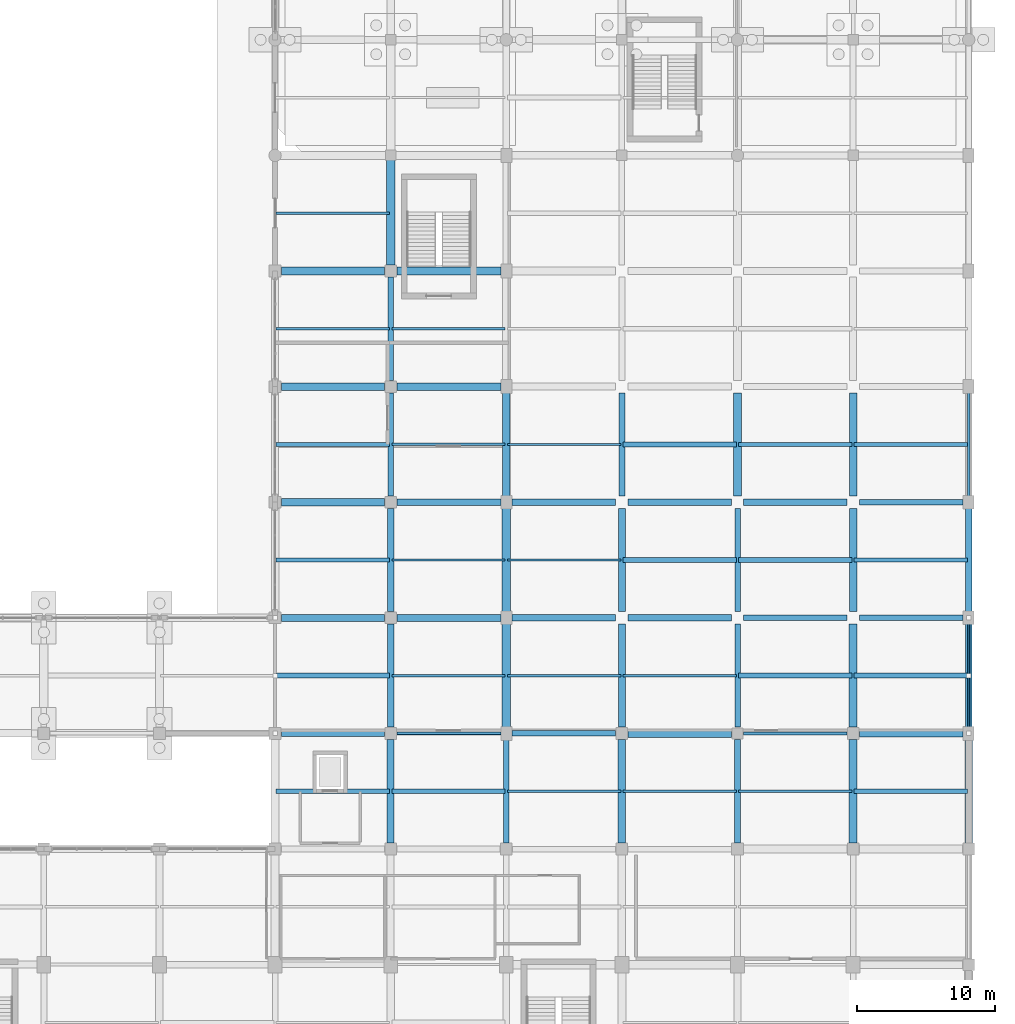
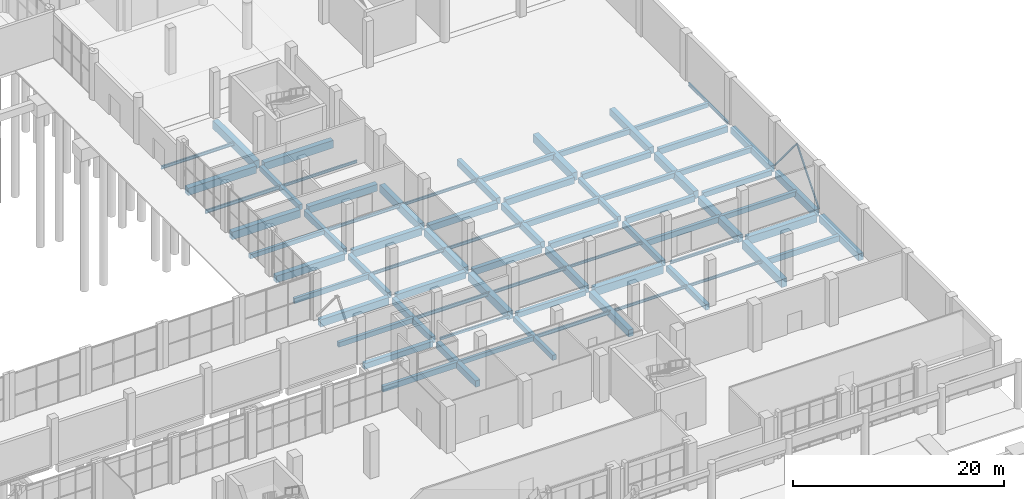
# One storey, part 51 of 82: 75 beams, 2 members.
"""IFC4 building model written with IfcOpenShell, lengths in metres."""

import ifcopenshell
import ifcopenshell.guid

model = None  # the IFC model being written
_history = None  # IfcOwnerHistory: only IFC2X3 demands one
_inside = {}  # id of a spatial element -> (the spatial element, [elements in it])
_under = {}  # id of a project, library or spatial element -> (it, [spatial elements below it])
_declared = {}  # id of a project -> (the project, [libraries it declares])
_typed = {}  # id of a type object -> (the type object, [elements of that type])
_made_of = {}  # id of a material, layer set ... -> (it, [elements and type objects made of it])


def new_model(schema):
    """Start an empty IFC model of exactly this schema.

    Asked for "IFC4X3", IfcOpenShell would pick the latest addendum, in which some entities
    have other attributes; the version numbers below select the first issue.
    IFC2X3 requires an IfcOwnerHistory on every rooted entity: one is made here for all.
    """
    global model, _history
    if schema == "IFC4X3":
        model = ifcopenshell.file(schema_version=(4, 3, 0, 0))
    else:
        model = ifcopenshell.file(schema=schema)
    _inside.clear()
    _under.clear()
    _declared.clear()
    _typed.clear()
    _made_of.clear()
    _history = None
    if model.schema == "IFC2X3":
        org = make("IfcOrganization", Name="unknown")
        user = make(
            "IfcPersonAndOrganization",
            ThePerson=make("IfcPerson", FamilyName="unknown"),
            TheOrganization=org,
        )
        app = make(
            "IfcApplication",
            ApplicationDeveloper=org,
            Version="unknown",
            ApplicationFullName="unknown",
            ApplicationIdentifier="unknown",
        )
        _history = make(
            "IfcOwnerHistory",
            OwningUser=user,
            OwningApplication=app,
            ChangeAction="ADDED",
            CreationDate=0,
        )
    return model


def make(cls, **values):
    """One entity of the class cls with the attributes given. An attribute that is None is left unset."""
    return model.create_entity(
        cls, **{name: value for name, value in values.items() if value is not None}
    )


def rooted(cls, **values):
    """An entity with a GlobalId (a new one), such as an element, a storey or a relation."""
    return make(cls, GlobalId=ifcopenshell.guid.new(), OwnerHistory=_history, **values)


def si_unit(unit_type, name, prefix=None):
    """IfcSIUnit, for example si_unit("LENGTHUNIT", "METRE", prefix="MILLI")."""
    return make("IfcSIUnit", UnitType=unit_type, Prefix=prefix, Name=name)


def derived_unit(unit_type, elements):
    """IfcDerivedUnit: a product of units, each with its exponent."""
    return make(
        "IfcDerivedUnit",
        Elements=[
            make("IfcDerivedUnitElement", Unit=unit, Exponent=power)
            for unit, power in elements
        ],
        UnitType=unit_type,
    )


def assignment(units):
    """IfcUnitAssignment: the units of a project."""
    return None if units is None else make("IfcUnitAssignment", Units=units)


def point(xyz):
    """IfcCartesianPoint."""
    return None if xyz is None else make("IfcCartesianPoint", Coordinates=xyz)


def direction(xyz):
    """IfcDirection."""
    return None if xyz is None else make("IfcDirection", DirectionRatios=xyz)


def frame(location, z_axis=None, x_axis=None):
    """IfcAxis2Placement3D, a coordinate frame: its origin and axes. An axis left out is left unset."""
    return make(
        "IfcAxis2Placement3D",
        Location=point(location),
        Axis=direction(z_axis),
        RefDirection=direction(x_axis),
    )


def frame_2d(location, x_axis=None):
    """IfcAxis2Placement2D, a coordinate frame in the plane: its origin and x axis."""
    return make(
        "IfcAxis2Placement2D", Location=point(location), RefDirection=direction(x_axis)
    )


def origin():
    """The frame at (0, 0, 0) with its axes left unset."""
    return frame((0.0, 0.0, 0.0))


def origin_2d():
    """The frame at (0, 0) in the plane with its x axis left unset."""
    return frame_2d((0.0, 0.0))


def place(relative_to, where):
    """IfcLocalPlacement: puts the frame where relative to a parent placement (None: the world)."""
    return make(
        "IfcLocalPlacement", PlacementRelTo=relative_to, RelativePlacement=where
    )


def context(
    kind, dimensions, precision=None, world=None, true_north=None, identifier=None
):
    """IfcGeometricRepresentationContext, for example the 3D "Model" context."""
    return make(
        "IfcGeometricRepresentationContext",
        ContextIdentifier=identifier,
        ContextType=kind,
        CoordinateSpaceDimension=dimensions,
        Precision=precision,
        WorldCoordinateSystem=world,
        TrueNorth=true_north,
    )


def subcontext(parent, identifier, kind, view, scale=None):
    """IfcGeometricRepresentationSubContext, for example "Body" below "Model"."""
    return make(
        "IfcGeometricRepresentationSubContext",
        ContextIdentifier=identifier,
        ContextType=kind,
        ParentContext=parent,
        TargetScale=scale,
        TargetView=view,
    )


def project(units=None, contexts=None):
    """IfcProject with its units and contexts."""
    return rooted(
        "IfcProject",
        Name="project",
        RepresentationContexts=contexts,
        UnitsInContext=assignment(units),
    )


def spatial(cls, under=None, at=None, **own):
    """A site, building, storey or space (cls), placed at a placement, below another one or the project."""
    s = rooted(cls, ObjectPlacement=at, **own)
    if under is not None:
        _under.setdefault(under.id(), (under, []))[1].append(s)
    return s


def profile(cls, at=None, kind="AREA", **sizes):
    """A parametric profile (cls). Its sizes go by their IFC names, for example OverallWidth=200.0."""
    return make(cls, ProfileType=kind, Position=at, **sizes)


def rectangle(**sizes):
    """IfcRectangleProfileDef."""
    return profile("IfcRectangleProfileDef", **sizes)


def hollow_rectangle(**sizes):
    """IfcRectangleHollowProfileDef."""
    return profile("IfcRectangleHollowProfileDef", **sizes)


def i_section(**sizes):
    """IfcIShapeProfileDef."""
    return profile("IfcIShapeProfileDef", **sizes)


def extrude(swept, where, along, depth):
    """IfcExtrudedAreaSolid: the profile swept, set in the frame where, extruded along a direction by depth."""
    return make(
        "IfcExtrudedAreaSolid",
        SweptArea=swept,
        Position=where,
        ExtrudedDirection=direction(along),
        Depth=depth,
    )


def shape(context_of_items, identifier, shape_type, items):
    """IfcShapeRepresentation: the items that make up one representation, for example the "Body"."""
    return make(
        "IfcShapeRepresentation",
        ContextOfItems=context_of_items,
        RepresentationIdentifier=identifier,
        RepresentationType=shape_type,
        Items=items,
    )


def material(Name=None, Category=None):
    """IfcMaterial."""
    return make("IfcMaterial", Name=Name, Category=Category)


def material_profile(
    of_material, cross_section, Name=None, Category=None, Priority=None
):
    """IfcMaterialProfile: a cross section and its material."""
    return make(
        "IfcMaterialProfile",
        Name=Name,
        Material=of_material,
        Profile=cross_section,
        Priority=Priority,
        Category=Category,
    )


def profile_set(profiles, Name=None, composite=None):
    """IfcMaterialProfileSet."""
    return make(
        "IfcMaterialProfileSet",
        Name=Name,
        MaterialProfiles=profiles,
        CompositeProfile=composite,
    )


def made_of(thing, what):
    """Note that an element or type object is made of a material, layer set ...; save() writes the relation."""
    if what is not None:
        _made_of.setdefault(what.id(), (what, []))[1].append(thing)
    return thing


def type_object(cls, material=None, **own):
    """A type object (cls), such as IfcWallType, which elements share."""
    return made_of(rooted(cls, **own), material)


def element(
    cls,
    number,
    at=None,
    inside=None,
    cuts=None,
    type_object=None,
    material=None,
    context=None,
    identifier="Body",
    shape_type=None,
    held_by="IfcProductDefinitionShape",
    body=None,
    shapes=None,
    **own,
):
    """One element of the class cls, such as IfcWall. Its Tag is "e" and its number.

    at: its placement. inside: the storey or other place that contains it. cuts: it is an
    opening in that element (IfcRelVoidsElement). A single representation is given by context,
    identifier, shape_type and body (its items); several are given by shapes. held_by: the class
    of the entity that holds the representations. save() writes the other relations.
    """
    e = rooted(cls, Tag="e%d" % number, ObjectPlacement=at, **own)
    if body is not None:
        shapes = [shape(context, identifier, shape_type, body)]
    if shapes is not None:
        e.Representation = make(held_by, Representations=shapes)
    if inside is not None:
        _inside.setdefault(inside.id(), (inside, []))[1].append(e)
    if cuts is not None:
        rooted(
            "IfcRelVoidsElement", RelatingBuildingElement=cuts, RelatedOpeningElement=e
        )
    if type_object is not None:
        _typed.setdefault(type_object.id(), (type_object, []))[1].append(e)
    return made_of(e, material)


def aggregate(whole, parts):
    """IfcRelAggregates: a whole, such as a stair, and the parts it consists of."""
    return rooted("IfcRelAggregates", RelatingObject=whole, RelatedObjects=parts)


def save(model, path):
    """Write the relations noted so far, then the file.

    IfcRelAggregates (storeys below a building ...), IfcRelContainedInSpatialStructure (elements
    in a storey), IfcRelDefinesByType, IfcRelAssociatesMaterial and IfcRelDeclares: one each for
    every whole, place, type object, material and project.
    """
    for whole, parts in _under.values():
        aggregate(whole, parts)
    for where, things in _inside.values():
        rooted(
            "IfcRelContainedInSpatialStructure",
            RelatedElements=things,
            RelatingStructure=where,
        )
    for kind, things in _typed.values():
        rooted("IfcRelDefinesByType", RelatedObjects=things, RelatingType=kind)
    for what, things in _made_of.values():
        rooted("IfcRelAssociatesMaterial", RelatedObjects=things, RelatingMaterial=what)
    for by, libraries in _declared.values():
        rooted("IfcRelDeclares", RelatingContext=by, RelatedDefinitions=libraries)
    model.write(path)


model = new_model("IFC4")

# Units and contexts
model_context = context("Model", 3, precision=1e-05, world=origin(), true_north=direction((0.0, 1.0)))
body_context = subcontext(model_context, "Body", "Model", "MODEL_VIEW")
ifc_project = project(units=[si_unit("LENGTHUNIT", "METRE"), si_unit("AREAUNIT", "SQUARE_METRE"), si_unit("VOLUMEUNIT", "CUBIC_METRE"), si_unit("PLANEANGLEUNIT", "RADIAN"), si_unit("MASSUNIT", "GRAM", prefix="KILO"), derived_unit("THERMALTRANSMITTANCEUNIT", [(si_unit("POWERUNIT", "WATT"), 1), (si_unit("LENGTHUNIT", "METRE"), -2), (si_unit("THERMODYNAMICTEMPERATUREUNIT", "KELVIN"), -1)])], contexts=[model_context])

# Site, building, storey
site_placement = place(None, origin())
site = spatial("IfcSite", under=ifc_project, at=site_placement, CompositionType="ELEMENT")
building_placement = place(site_placement, origin())
building = spatial("IfcBuilding", under=site, at=building_placement, Name="Barrovel Congress Hotel", CompositionType="ELEMENT")
storey_placement = place(building_placement, origin())
storey = spatial("IfcBuildingStorey", under=building, at=storey_placement, Name="L00", CompositionType="ELEMENT", Elevation=0.0)

# Beams
ifc_material_1 = material(Name="Concrete C40", Category="concrete")
ifc_material_profile_1 = material_profile(ifc_material_1, rectangle(XDim=0.300048828125, YDim=0.5, at=origin_2d()), Name="RC300x500")
ifc_profile_set_1 = profile_set([ifc_material_profile_1], Name="Concrete C40")
beam_type_1 = type_object("IfcBeamType", Name="BM-RC300x500", PredefinedType="JOIST", material=ifc_profile_set_1)
for number, where, z_axis, x_axis, name in (
    (1, (126.080078125, 58.800048828125, -0.570068359375), (1.0, 0.0, 0.0), (0.0, 1.0, 0.0), "JST:L00:126.0:58.8"),
    (2, (134.47998046875, 33.60009765625, -0.570068359375), (1.0, 0.0, 0.0), (0.0, 1.0, 0.0), "JST:L00:134.4:33.6"),
    (3, (168.080078125, 58.800048828125, -0.570068359375), (1.0, 0.0, 0.0), (0.0, 1.0, 0.0), "JST:L00:168.0:58.8"),
):
    element("IfcBeam", number, at=place(storey_placement, frame(where, z_axis=z_axis, x_axis=x_axis)), inside=storey, type_object=beam_type_1, Name=name, PredefinedType="JOIST", context=body_context, shape_type="SweptSolid", body=[
        extrude(rectangle(XDim=0.300048828125, YDim=0.5, at=origin_2d()), origin(), (0.0, 0.0, 1.0), 8.239990234375),
    ])
ifc_material_profile_2 = material_profile(ifc_material_1, rectangle(XDim=0.300048828125, YDim=0.60009765625, at=origin_2d()), Name="RC300x600")
ifc_profile_set_2 = profile_set([ifc_material_profile_2], Name="Concrete C40")
beam_type_2 = type_object("IfcBeamType", Name="BM-RC300x600", PredefinedType="JOIST", material=ifc_profile_set_2)
for number, where, z_axis, x_axis, name in (
    (4, (126.080078125, 50.39990234375, -0.6201171875), (1.0, 0.0, 0.0), (0.0, 1.0, 0.0), "JST:L00:126.0:50.4"),
    (5, (159.679931640625, 58.800048828125, -0.6201171875), (1.0, 0.0, 0.0), (0.0, 1.0, 0.0), "JST:L00:159.6:58.8"),
    (6, (168.080078125, 50.39990234375, -0.6201171875), (1.0, 0.0, 0.0), (0.0, 1.0, 0.0), "JST:L00:168.0:50.4"),
):
    element("IfcBeam", number, at=place(storey_placement, frame(where, z_axis=z_axis, x_axis=x_axis)), inside=storey, type_object=beam_type_2, Name=name, PredefinedType="JOIST", context=body_context, shape_type="SweptSolid", body=[
        extrude(rectangle(XDim=0.300048828125, YDim=0.60009765625, at=origin_2d()), origin(), (0.0, 0.0, 1.0), 8.239990234375),
    ])
ifc_material_profile_3 = material_profile(ifc_material_1, rectangle(XDim=0.35009765625, YDim=0.550048828125, at=origin_2d()), Name="RC350x550")
ifc_profile_set_3 = profile_set([ifc_material_profile_3], Name="Concrete C40")
beam_type_3 = type_object("IfcBeamType", Name="BM-RC350x550", PredefinedType="JOIST", material=ifc_profile_set_3)
for number, where, z_axis, x_axis, name in (
    (7, (126.080078125, 42.0, -0.594970703125), (1.0, 0.0, 0.0), (0.0, 1.0, 0.0), "JST:L00:126.0:42.0"),
    (8, (151.280029296875, 58.800048828125, -0.594970703125), (1.0, 0.0, 0.0), (0.0, 1.0, 0.0), "JST:L00:151.2:58.8"),
    (9, (159.679931640625, 50.39990234375, -0.594970703125), (1.0, 0.0, 0.0), (0.0, 1.0, 0.0), "JST:L00:159.6:50.4"),
    (10, (168.080078125, 42.0, -0.594970703125), (1.0, 0.0, 0.0), (0.0, 1.0, 0.0), "JST:L00:168.0:42.0"),
):
    element("IfcBeam", number, at=place(storey_placement, frame(where, z_axis=z_axis, x_axis=x_axis)), inside=storey, type_object=beam_type_3, Name=name, PredefinedType="JOIST", context=body_context, shape_type="SweptSolid", body=[
        extrude(rectangle(XDim=0.35009765625, YDim=0.550048828125, at=origin_2d()), origin(), (0.0, 0.0, 1.0), 8.239990234375),
    ])
ifc_material_profile_4 = material_profile(ifc_material_1, rectangle(XDim=0.35009765625, YDim=0.64990234375, at=origin_2d()), Name="RC350x650")
ifc_profile_set_4 = profile_set([ifc_material_profile_4], Name="Concrete C40")
beam_type_4 = type_object("IfcBeamType", Name="BM-RC350x650", PredefinedType="JOIST", material=ifc_profile_set_4)
for number, where, z_axis, x_axis, name in (
    (11, (126.080078125, 33.60009765625, -0.64501953125), (1.0, 0.0, 0.0), (0.0, 1.0, 0.0), "JST:L00:126.0:33.6"),
    (12, (151.280029296875, 50.39990234375, -0.64501953125), (1.0, 0.0, 0.0), (0.0, 1.0, 0.0), "JST:L00:151.2:50.4"),
    (13, (159.679931640625, 42.0, -0.64501953125), (1.0, 0.0, 0.0), (0.0, 1.0, 0.0), "JST:L00:159.6:42.0"),
    (14, (168.080078125, 33.60009765625, -0.64501953125), (1.0, 0.0, 0.0), (0.0, 1.0, 0.0), "JST:L00:168.0:33.6"),
):
    element("IfcBeam", number, at=place(storey_placement, frame(where, z_axis=z_axis, x_axis=x_axis)), inside=storey, type_object=beam_type_4, Name=name, PredefinedType="JOIST", context=body_context, shape_type="SweptSolid", body=[
        extrude(rectangle(XDim=0.35009765625, YDim=0.64990234375, at=origin_2d()), origin(), (0.0, 0.0, 1.0), 8.239990234375),
    ])
ifc_material_profile_5 = material_profile(ifc_material_1, rectangle(XDim=0.39990234375, YDim=0.60009765625, at=origin_2d()), Name="RC400x600")
ifc_profile_set_5 = profile_set([ifc_material_profile_5], Name="Concrete C40")
beam_type_5 = type_object("IfcBeamType", Name="BM-RC400x600", PredefinedType="BEAM", material=ifc_profile_set_5)
for number, where, z_axis, x_axis, name in (
    (15, (143.199951171875, 37.800048828125, -0.6201171875), (1.0, 0.0, 0.0), (0.0, 1.0, 0.0), "BMX:L00:37.8:142.8-151.2"),
    (16, (168.449951171875, 46.199951171875, -0.6201171875), (1.0, 0.0, 0.0), (0.0, 1.0, 0.0), "BMX:L00:46.2:168.0-176.4"),
):
    element("IfcBeam", number, at=place(storey_placement, frame(where, z_axis=z_axis, x_axis=x_axis)), inside=storey, type_object=beam_type_5, Name=name, PredefinedType="BEAM", context=body_context, shape_type="SweptSolid", body=[
        extrude(rectangle(XDim=0.39990234375, YDim=0.60009765625, at=origin_2d()), origin(), (0.0, 0.0, 1.0), 7.550048828125),
    ])
for number, where, z_axis, x_axis, name in (
    (17, (134.39990234375, 63.449951171875, -0.6201171875), (0.0, 1.0, 0.0), (-1.0, 0.0, 0.0), "BMY:L00:134.4:63.0-71.4"),
    (18, (142.800048828125, 29.85009765625, -0.6201171875), (0.0, 1.0, 0.0), (-1.0, 0.0, 0.0), "BMY:L00:142.8:29.4-37.8"),
    (19, (159.60009765625, 46.64990234375, -0.6201171875), (0.0, 1.0, 0.0), (-1.0, 0.0, 0.0), "BMY:L00:159.6:46.2-54.6"),
):
    element("IfcBeam", number, at=place(storey_placement, frame(where, z_axis=z_axis, x_axis=x_axis)), inside=storey, type_object=beam_type_5, Name=name, PredefinedType="BEAM", context=body_context, shape_type="SweptSolid", body=[
        extrude(rectangle(XDim=0.39990234375, YDim=0.60009765625, at=origin_2d()), origin(), (0.0, 0.0, 1.0), 7.5),
    ])
ifc_material_profile_6 = material_profile(ifc_material_1, rectangle(XDim=0.39990234375, YDim=0.699951171875, at=origin_2d()), Name="RC400x700")
ifc_profile_set_6 = profile_set([ifc_material_profile_6], Name="Concrete C40")
beam_type_6 = type_object("IfcBeamType", Name="BM-RC400x700", PredefinedType="BEAM", material=ifc_profile_set_6)
beam_1_placement = place(storey_placement, frame((160.050048828125, 46.199951171875, -0.669921875), z_axis=(1.0, 0.0, 0.0), x_axis=(0.0, 1.0, 0.0)))
element("IfcBeam", 20, at=beam_1_placement, inside=storey, type_object=beam_type_6, Name="BMX:L00:46.2:159.6-168.0", PredefinedType="BEAM", context=body_context, shape_type="SweptSolid", body=[
    extrude(rectangle(XDim=0.39990234375, YDim=0.699951171875, at=origin_2d()), origin(), (0.0, 0.0, 1.0), 7.5),
])
beam_2_placement = place(storey_placement, frame((168.449951171875, 54.60009765625, -0.669921875), z_axis=(1.0, 0.0, 0.0), x_axis=(0.0, 1.0, 0.0)))
element("IfcBeam", 21, at=beam_2_placement, inside=storey, type_object=beam_type_6, Name="BMX:L00:54.6:168.0-176.4", PredefinedType="BEAM", context=body_context, shape_type="SweptSolid", body=[
    extrude(rectangle(XDim=0.39990234375, YDim=0.699951171875, at=origin_2d()), origin(), (0.0, 0.0, 1.0), 7.550048828125),
])
for number, where, z_axis, x_axis, name in (
    (22, (134.39990234375, 55.050048828125, -0.669921875), (0.0, 1.0, 0.0), (-1.0, 0.0, 0.0), "BMY:L00:134.4:54.6-63.0"),
    (23, (159.60009765625, 38.25, -0.669921875), (0.0, 1.0, 0.0), (-1.0, 0.0, 0.0), "BMY:L00:159.6:37.8-46.2"),
):
    element("IfcBeam", number, at=place(storey_placement, frame(where, z_axis=z_axis, x_axis=x_axis)), inside=storey, type_object=beam_type_6, Name=name, PredefinedType="BEAM", context=body_context, shape_type="SweptSolid", body=[
        extrude(rectangle(XDim=0.39990234375, YDim=0.699951171875, at=origin_2d()), origin(), (0.0, 0.0, 1.0), 7.5),
    ])
ifc_material_profile_7 = material_profile(ifc_material_1, rectangle(XDim=0.449951171875, YDim=0.64990234375, at=origin_2d()), Name="RC450x650")
ifc_profile_set_7 = profile_set([ifc_material_profile_7], Name="Concrete C40")
beam_type_7 = type_object("IfcBeamType", Name="BM-RC450x650", PredefinedType="BEAM", material=ifc_profile_set_7)
for number, where, z_axis, x_axis, name in (
    (24, (126.449951171875, 37.800048828125, -0.64501953125), (1.0, 0.0, 0.0), (0.0, 1.0, 0.0), "BMX:L00:37.8:126.0-134.4"),
    (25, (151.64990234375, 46.199951171875, -0.64501953125), (1.0, 0.0, 0.0), (0.0, 1.0, 0.0), "BMX:L00:46.2:151.2-159.6"),
    (26, (160.050048828125, 54.60009765625, -0.64501953125), (1.0, 0.0, 0.0), (0.0, 1.0, 0.0), "BMX:L00:54.6:159.6-168.0"),
    (27, (134.39990234375, 46.64990234375, -0.64501953125), (0.0, 1.0, 0.0), (-1.0, 0.0, 0.0), "BMY:L00:134.4:46.2-54.6"),
    (28, (159.60009765625, 29.85009765625, -0.64501953125), (0.0, 1.0, 0.0), (-1.0, 0.0, 0.0), "BMY:L00:159.6:29.4-37.8"),
):
    element("IfcBeam", number, at=place(storey_placement, frame(where, z_axis=z_axis, x_axis=x_axis)), inside=storey, type_object=beam_type_7, Name=name, PredefinedType="BEAM", context=body_context, shape_type="SweptSolid", body=[
        extrude(rectangle(XDim=0.449951171875, YDim=0.64990234375, at=origin_2d()), origin(), (0.0, 0.0, 1.0), 7.5),
    ])
ifc_material_profile_8 = material_profile(ifc_material_1, rectangle(XDim=0.449951171875, YDim=0.75, at=origin_2d()), Name="RC450x750")
ifc_profile_set_8 = profile_set([ifc_material_profile_8], Name="Concrete C40")
beam_type_8 = type_object("IfcBeamType", Name="BM-RC450x750", PredefinedType="BEAM", material=ifc_profile_set_8)
beam_3_placement = place(storey_placement, frame((143.199951171875, 46.199951171875, -0.695068359375), z_axis=(1.0, 0.0, 0.0), x_axis=(0.0, 1.0, 0.0)))
element("IfcBeam", 29, at=beam_3_placement, inside=storey, type_object=beam_type_8, Name="BMX:L00:46.2:142.8-151.2", PredefinedType="BEAM", context=body_context, shape_type="SweptSolid", body=[
    extrude(rectangle(XDim=0.449951171875, YDim=0.75, at=origin_2d()), origin(), (0.0, 0.0, 1.0), 7.550048828125),
])
for number, where, z_axis, x_axis, name in (
    (30, (151.64990234375, 54.60009765625, -0.695068359375), (1.0, 0.0, 0.0), (0.0, 1.0, 0.0), "BMX:L00:54.6:151.2-159.6"),
    (31, (134.39990234375, 38.25, -0.695068359375), (0.0, 1.0, 0.0), (-1.0, 0.0, 0.0), "BMY:L00:134.4:37.8-46.2"),
    (32, (151.199951171875, 55.050048828125, -0.695068359375), (0.0, 1.0, 0.0), (-1.0, 0.0, 0.0), "BMY:L00:151.2:54.6-63.0"),
):
    element("IfcBeam", number, at=place(storey_placement, frame(where, z_axis=z_axis, x_axis=x_axis)), inside=storey, type_object=beam_type_8, Name=name, PredefinedType="BEAM", context=body_context, shape_type="SweptSolid", body=[
        extrude(rectangle(XDim=0.449951171875, YDim=0.75, at=origin_2d()), origin(), (0.0, 0.0, 1.0), 7.5),
    ])
ifc_material_profile_9 = material_profile(ifc_material_1, rectangle(XDim=0.5, YDim=0.75, at=origin_2d()), Name="RC500x750")
ifc_profile_set_9 = profile_set([ifc_material_profile_9], Name="Concrete C40")
beam_type_9 = type_object("IfcBeamType", Name="BM-RC500x750", PredefinedType="BEAM", material=ifc_profile_set_9)
beam_4_placement = place(storey_placement, frame((134.85009765625, 46.199951171875, -0.695068359375), z_axis=(1.0, 0.0, 0.0), x_axis=(0.0, 1.0, 0.0)))
element("IfcBeam", 33, at=beam_4_placement, inside=storey, type_object=beam_type_9, Name="BMX:L00:46.2:134.4-142.8", PredefinedType="BEAM", context=body_context, shape_type="SweptSolid", body=[
    extrude(rectangle(XDim=0.5, YDim=0.75, at=origin_2d()), origin(), (0.0, 0.0, 1.0), 7.5498046875),
])
beam_5_placement = place(storey_placement, frame((143.199951171875, 54.60009765625, -0.695068359375), z_axis=(1.0, 0.0, 0.0), x_axis=(0.0, 1.0, 0.0)))
element("IfcBeam", 34, at=beam_5_placement, inside=storey, type_object=beam_type_9, Name="BMX:L00:54.6:142.8-151.2", PredefinedType="BEAM", context=body_context, shape_type="SweptSolid", body=[
    extrude(rectangle(XDim=0.5, YDim=0.75, at=origin_2d()), origin(), (0.0, 0.0, 1.0), 7.550048828125),
])
for number, where, z_axis, x_axis, name in (
    (35, (134.39990234375, 29.85009765625, -0.695068359375), (0.0, 1.0, 0.0), (-1.0, 0.0, 0.0), "BMY:L00:134.4:29.4-37.8"),
    (36, (151.199951171875, 46.64990234375, -0.695068359375), (0.0, 1.0, 0.0), (-1.0, 0.0, 0.0), "BMY:L00:151.2:46.2-54.6"),
    (37, (176.39990234375, 46.64990234375, -0.695068359375), (0.0, 1.0, 0.0), (-1.0, 0.0, 0.0), "BMY:L00:176.4:46.2-54.6"),
):
    element("IfcBeam", number, at=place(storey_placement, frame(where, z_axis=z_axis, x_axis=x_axis)), inside=storey, type_object=beam_type_9, Name=name, PredefinedType="BEAM", context=body_context, shape_type="SweptSolid", body=[
        extrude(rectangle(XDim=0.5, YDim=0.75, at=origin_2d()), origin(), (0.0, 0.0, 1.0), 7.5),
    ])
ifc_material_profile_10 = material_profile(ifc_material_1, rectangle(XDim=0.5, YDim=0.85009765625, at=origin_2d()), Name="RC500x850")
ifc_profile_set_10 = profile_set([ifc_material_profile_10], Name="Concrete C40")
beam_type_10 = type_object("IfcBeamType", Name="BM-RC500x850", PredefinedType="BEAM", material=ifc_profile_set_10)
beam_6_placement = place(storey_placement, frame((126.449951171875, 46.199951171875, -0.7451171875), z_axis=(1.0, 0.0, 0.0), x_axis=(0.0, 1.0, 0.0)))
element("IfcBeam", 38, at=beam_6_placement, inside=storey, type_object=beam_type_10, Name="BMX:L00:46.2:126.0-134.4", PredefinedType="BEAM", context=body_context, shape_type="SweptSolid", body=[
    extrude(rectangle(XDim=0.5, YDim=0.85009765625, at=origin_2d()), origin(), (0.0, 0.0, 1.0), 7.5),
])
beam_7_placement = place(storey_placement, frame((134.85009765625, 54.60009765625, -0.7451171875), z_axis=(1.0, 0.0, 0.0), x_axis=(0.0, 1.0, 0.0)))
element("IfcBeam", 39, at=beam_7_placement, inside=storey, type_object=beam_type_10, Name="BMX:L00:54.6:134.4-142.8", PredefinedType="BEAM", context=body_context, shape_type="SweptSolid", body=[
    extrude(rectangle(XDim=0.5, YDim=0.85009765625, at=origin_2d()), origin(), (0.0, 0.0, 1.0), 7.5498046875),
])
for number, where, z_axis, x_axis, name in (
    (40, (151.199951171875, 38.25, -0.7451171875), (0.0, 1.0, 0.0), (-1.0, 0.0, 0.0), "BMY:L00:151.2:37.8-46.2"),
    (41, (176.39990234375, 38.25, -0.7451171875), (0.0, 1.0, 0.0), (-1.0, 0.0, 0.0), "BMY:L00:176.4:37.8-46.2"),
):
    element("IfcBeam", number, at=place(storey_placement, frame(where, z_axis=z_axis, x_axis=x_axis)), inside=storey, type_object=beam_type_10, Name=name, PredefinedType="BEAM", context=body_context, shape_type="SweptSolid", body=[
        extrude(rectangle(XDim=0.5, YDim=0.85009765625, at=origin_2d()), origin(), (0.0, 0.0, 1.0), 7.5),
    ])
ifc_material_profile_11 = material_profile(ifc_material_1, rectangle(XDim=0.550048828125, YDim=0.800048828125, at=origin_2d()), Name="RC550x800")
ifc_profile_set_11 = profile_set([ifc_material_profile_11], Name="Concrete C40")
beam_type_11 = type_object("IfcBeamType", Name="BM-RC550x800", PredefinedType="BEAM", material=ifc_profile_set_11)
beam_8_placement = place(storey_placement, frame((126.449951171875, 54.60009765625, -0.719970703125), z_axis=(1.0, 0.0, 0.0), x_axis=(0.0, 1.0, 0.0)))
element("IfcBeam", 42, at=beam_8_placement, inside=storey, type_object=beam_type_11, Name="BMX:L00:54.6:126.0-134.4", PredefinedType="BEAM", context=body_context, shape_type="SweptSolid", body=[
    extrude(rectangle(XDim=0.550048828125, YDim=0.800048828125, at=origin_2d()), origin(), (0.0, 0.0, 1.0), 7.5),
])
beam_9_placement = place(storey_placement, frame((134.85009765625, 63.0, -0.719970703125), z_axis=(1.0, 0.0, 0.0), x_axis=(0.0, 1.0, 0.0)))
element("IfcBeam", 43, at=beam_9_placement, inside=storey, type_object=beam_type_11, Name="BMX:L00:63.0:134.4-142.8", PredefinedType="BEAM", context=body_context, shape_type="SweptSolid", body=[
    extrude(rectangle(XDim=0.550048828125, YDim=0.800048828125, at=origin_2d()), origin(), (0.0, 0.0, 1.0), 7.5498046875),
])
for number, where, z_axis, x_axis, name in (
    (44, (151.199951171875, 29.85009765625, -0.719970703125), (0.0, 1.0, 0.0), (-1.0, 0.0, 0.0), "BMY:L00:151.2:29.4-37.8"),
    (45, (168.0, 55.050048828125, -0.719970703125), (0.0, 1.0, 0.0), (-1.0, 0.0, 0.0), "BMY:L00:168.0:54.6-63.0"),
    (46, (176.39990234375, 29.85009765625, -0.719970703125), (0.0, 1.0, 0.0), (-1.0, 0.0, 0.0), "BMY:L00:176.4:29.4-37.8"),
):
    element("IfcBeam", number, at=place(storey_placement, frame(where, z_axis=z_axis, x_axis=x_axis)), inside=storey, type_object=beam_type_11, Name=name, PredefinedType="BEAM", context=body_context, shape_type="SweptSolid", body=[
        extrude(rectangle(XDim=0.550048828125, YDim=0.800048828125, at=origin_2d()), origin(), (0.0, 0.0, 1.0), 7.5),
    ])
ifc_material_profile_12 = material_profile(ifc_material_1, rectangle(XDim=0.550048828125, YDim=0.89990234375, at=origin_2d()), Name="RC550x900")
ifc_profile_set_12 = profile_set([ifc_material_profile_12], Name="Concrete C40")
beam_type_12 = type_object("IfcBeamType", Name="BM-RC550x900", PredefinedType="BEAM", material=ifc_profile_set_12)
beam_10_placement = place(storey_placement, frame((168.449951171875, 37.800048828125, -0.77001953125), z_axis=(1.0, 0.0, 0.0), x_axis=(0.0, 1.0, 0.0)))
element("IfcBeam", 47, at=beam_10_placement, inside=storey, type_object=beam_type_12, Name="BMX:L00:37.8:168.0-176.4", PredefinedType="BEAM", context=body_context, shape_type="SweptSolid", body=[
    extrude(rectangle(XDim=0.550048828125, YDim=0.89990234375, at=origin_2d()), origin(), (0.0, 0.0, 1.0), 7.550048828125),
])
beam_11_placement = place(storey_placement, frame((126.449951171875, 63.0, -0.77001953125), z_axis=(1.0, 0.0, 0.0), x_axis=(0.0, 1.0, 0.0)))
element("IfcBeam", 48, at=beam_11_placement, inside=storey, type_object=beam_type_12, Name="BMX:L00:63.0:126.0-134.4", PredefinedType="BEAM", context=body_context, shape_type="SweptSolid", body=[
    extrude(rectangle(XDim=0.550048828125, YDim=0.89990234375, at=origin_2d()), origin(), (0.0, 0.0, 1.0), 7.5),
])
beam_12_placement = place(storey_placement, frame((134.85009765625, 71.39990234375, -0.77001953125), z_axis=(1.0, 0.0, 0.0), x_axis=(0.0, 1.0, 0.0)))
element("IfcBeam", 49, at=beam_12_placement, inside=storey, type_object=beam_type_12, Name="BMX:L00:71.4:134.4-142.8", PredefinedType="BEAM", context=body_context, shape_type="SweptSolid", body=[
    extrude(rectangle(XDim=0.550048828125, YDim=0.89990234375, at=origin_2d()), origin(), (0.0, 0.0, 1.0), 7.5498046875),
])
for number, where, z_axis, x_axis, name in (
    (50, (142.800048828125, 55.050048828125, -0.77001953125), (0.0, 1.0, 0.0), (-1.0, 0.0, 0.0), "BMY:L00:142.8:54.6-63.0"),
    (51, (168.0, 46.64990234375, -0.77001953125), (0.0, 1.0, 0.0), (-1.0, 0.0, 0.0), "BMY:L00:168.0:46.2-54.6"),
):
    element("IfcBeam", number, at=place(storey_placement, frame(where, z_axis=z_axis, x_axis=x_axis)), inside=storey, type_object=beam_type_12, Name=name, PredefinedType="BEAM", context=body_context, shape_type="SweptSolid", body=[
        extrude(rectangle(XDim=0.550048828125, YDim=0.89990234375, at=origin_2d()), origin(), (0.0, 0.0, 1.0), 7.5),
    ])
ifc_material_profile_13 = material_profile(ifc_material_1, rectangle(XDim=0.60009765625, YDim=0.85009765625, at=origin_2d()), Name="RC600x850")
ifc_profile_set_13 = profile_set([ifc_material_profile_13], Name="Concrete C40")
beam_type_13 = type_object("IfcBeamType", Name="BM-RC600x850", PredefinedType="BEAM", material=ifc_profile_set_13)
for number, where, z_axis, x_axis, name in (
    (52, (126.449951171875, 71.39990234375, -0.7451171875), (1.0, 0.0, 0.0), (0.0, 1.0, 0.0), "BMX:L00:71.4:126.0-134.4"),
    (53, (142.800048828125, 46.64990234375, -0.7451171875), (0.0, 1.0, 0.0), (-1.0, 0.0, 0.0), "BMY:L00:142.8:46.2-54.6"),
    (54, (168.0, 38.25, -0.7451171875), (0.0, 1.0, 0.0), (-1.0, 0.0, 0.0), "BMY:L00:168.0:37.8-46.2"),
):
    element("IfcBeam", number, at=place(storey_placement, frame(where, z_axis=z_axis, x_axis=x_axis)), inside=storey, type_object=beam_type_13, Name=name, PredefinedType="BEAM", context=body_context, shape_type="SweptSolid", body=[
        extrude(rectangle(XDim=0.60009765625, YDim=0.85009765625, at=origin_2d()), origin(), (0.0, 0.0, 1.0), 7.5),
    ])
ifc_material_profile_14 = material_profile(ifc_material_1, rectangle(XDim=0.60009765625, YDim=0.949951171875, at=origin_2d()), Name="RC600x950")
ifc_profile_set_14 = profile_set([ifc_material_profile_14], Name="Concrete C40")
beam_type_14 = type_object("IfcBeamType", Name="BM-RC600x950", PredefinedType="BEAM", material=ifc_profile_set_14)
beam_13_placement = place(storey_placement, frame((151.64990234375, 37.800048828125, -0.794921875), z_axis=(1.0, 0.0, 0.0), x_axis=(0.0, 1.0, 0.0)))
element("IfcBeam", 55, at=beam_13_placement, inside=storey, type_object=beam_type_14, Name="BMX:L00:37.8:151.2-159.6", PredefinedType="BEAM", context=body_context, shape_type="SweptSolid", body=[
    extrude(rectangle(XDim=0.60009765625, YDim=0.949951171875, at=origin_2d()), origin(), (0.0, 0.0, 1.0), 7.5),
])
beam_14_placement = place(storey_placement, frame((134.39990234375, 71.85009765625, -0.794921875), z_axis=(0.0, 1.0, 0.0), x_axis=(-1.0, 0.0, 0.0)))
element("IfcBeam", 56, at=beam_14_placement, inside=storey, type_object=beam_type_14, Name="BMY:L00:134.4:71.4-79.8", PredefinedType="BEAM", context=body_context, shape_type="SweptSolid", body=[
    extrude(rectangle(XDim=0.60009765625, YDim=0.949951171875, at=origin_2d()), origin(), (0.0, 0.0, 1.0), 7.822998046875),
])
for number, where, z_axis, x_axis, name in (
    (57, (142.800048828125, 38.25, -0.794921875), (0.0, 1.0, 0.0), (-1.0, 0.0, 0.0), "BMY:L00:142.8:37.8-46.2"),
    (58, (159.60009765625, 55.050048828125, -0.794921875), (0.0, 1.0, 0.0), (-1.0, 0.0, 0.0), "BMY:L00:159.6:54.6-63.0"),
    (59, (168.0, 29.85009765625, -0.794921875), (0.0, 1.0, 0.0), (-1.0, 0.0, 0.0), "BMY:L00:168.0:29.4-37.8"),
):
    element("IfcBeam", number, at=place(storey_placement, frame(where, z_axis=z_axis, x_axis=x_axis)), inside=storey, type_object=beam_type_14, Name=name, PredefinedType="BEAM", context=body_context, shape_type="SweptSolid", body=[
        extrude(rectangle(XDim=0.60009765625, YDim=0.949951171875, at=origin_2d()), origin(), (0.0, 0.0, 1.0), 7.5),
    ])

# Members
ifc_material_2 = material(Name="Steel ASTM A500 Grade C", Category="steel")
ifc_material_profile_15 = material_profile(ifc_material_2, hollow_rectangle(XDim=0.15234375, YDim=0.15234375, WallThickness=0.00732421875, InnerFilletRadius=0.00732421875, OuterFilletRadius=0.014892578125, at=origin_2d()), Name="HSS152x152x7.9")
ifc_profile_set_15 = profile_set([ifc_material_profile_15], Name="Steel ASTM A500 Grade C")
member_type = type_object("IfcMemberType", Name="MEM-HSS152x152x7.9", PredefinedType="BRACE", material=ifc_profile_set_15)
for number, where, z_axis, x_axis, name in (
    (60, (176.39990234375, 37.800048828125, 0.0), (0.0, 0.639427293174, 0.768851570034), (-1.0, 0.0, 0.0), "CBF:L00:BF4:L"),
    (61, (176.39990234375, 46.199951171875, 0.0), (0.0, -0.639427293174, 0.768851570034), (1.0, 0.0, 0.0), "CBF:L00:BF4:R"),
):
    element("IfcMember", number, at=place(storey_placement, frame(where, z_axis=z_axis, x_axis=x_axis)), inside=storey, type_object=member_type, Name=name, PredefinedType="BRACE", context=body_context, shape_type="SweptSolid", body=[
        extrude(hollow_rectangle(XDim=0.15234375, YDim=0.15234375, WallThickness=0.00732421875, InnerFilletRadius=0.00732421875, OuterFilletRadius=0.014892578125, at=origin_2d()), origin(), (0.0, 0.0, 1.0), 6.568359375),
    ])

# Beams
ifc_material_profile_16 = material_profile(ifc_material_2, hollow_rectangle(XDim=0.203125, YDim=0.3046875, WallThickness=0.01171875, InnerFilletRadius=0.01171875, OuterFilletRadius=0.023681640625, at=origin_2d()), Name="HSS305x203x12.7")
ifc_profile_set_16 = profile_set([ifc_material_profile_16], Name="Steel ASTM A500 Grade C")
beam_type_15 = type_object("IfcBeamType", Name="SBM-HSS305x203x12.7", PredefinedType="SPANDREL", material=ifc_profile_set_16)
beam_15_placement = place(storey_placement, frame((134.85009765625, 37.800048828125, -0.472412109375), z_axis=(1.0, 0.0, 0.0), x_axis=(0.0, 1.0, 0.0)))
element("IfcBeam", 62, at=beam_15_placement, inside=storey, type_object=beam_type_15, Name="BMX:L00:37.8:134.4-142.8", PredefinedType="SPANDREL", context=body_context, shape_type="SweptSolid", body=[
    extrude(hollow_rectangle(XDim=0.203125, YDim=0.3046875, WallThickness=0.01171875, InnerFilletRadius=0.01171875, OuterFilletRadius=0.023681640625, at=origin_2d()), origin(), (0.0, 0.0, 1.0), 7.5498046875),
])
ifc_material_3 = material(Name="Steel ASTM A992 Grade 50", Category="steel")
ifc_material_profile_17 = material_profile(ifc_material_3, i_section(OverallWidth=0.1650390625, OverallDepth=0.31005859375, WebThickness=0.005859375, FlangeThickness=0.009765625, FilletRadius=0.010986328125, at=origin_2d()), Name="W310x39")
ifc_profile_set_17 = profile_set([ifc_material_profile_17], Name="Steel ASTM A992 Grade 50")
beam_type_16 = type_object("IfcBeamType", Name="SBM-W310x39", PredefinedType="JOIST", material=ifc_profile_set_17)
for number, where, z_axis, x_axis, name in (
    (63, (151.280029296875, 42.0, -0.47509765625), (1.0, 0.0, 0.0), (0.0, 1.0, 0.0), "JST:L00:151.2:42.0"),
    (64, (159.679931640625, 33.60009765625, -0.47509765625), (1.0, 0.0, 0.0), (0.0, 1.0, 0.0), "JST:L00:159.6:33.6"),
):
    element("IfcBeam", number, at=place(storey_placement, frame(where, z_axis=z_axis, x_axis=x_axis)), inside=storey, type_object=beam_type_16, Name=name, PredefinedType="JOIST", context=body_context, shape_type="SweptSolid", body=[
        extrude(i_section(OverallWidth=0.1650390625, OverallDepth=0.31005859375, WebThickness=0.005859375, FlangeThickness=0.009765625, FilletRadius=0.010986328125, at=origin_2d()), origin(), (0.0, 0.0, 1.0), 8.239990234375),
    ])
ifc_material_profile_18 = material_profile(ifc_material_3, i_section(OverallWidth=0.1669921875, OverallDepth=0.31689453125, WebThickness=0.007568359375, FlangeThickness=0.01318359375, FilletRadius=0.010986328125, at=origin_2d()), Name="W310x52")
ifc_profile_set_18 = profile_set([ifc_material_profile_18], Name="Steel ASTM A992 Grade 50")
beam_type_17 = type_object("IfcBeamType", Name="SBM-W310x52", PredefinedType="JOIST", material=ifc_profile_set_18)
beam_16_placement = place(storey_placement, frame((134.47998046875, 67.199951171875, -0.478515625), z_axis=(1.0, 0.0, 0.0), x_axis=(0.0, 1.0, 0.0)))
element("IfcBeam", 65, at=beam_16_placement, inside=storey, type_object=beam_type_17, Name="JST:L00:134.4:67.2", PredefinedType="JOIST", context=body_context, shape_type="SweptSolid", body=[
    extrude(i_section(OverallWidth=0.1669921875, OverallDepth=0.31689453125, WebThickness=0.007568359375, FlangeThickness=0.01318359375, FilletRadius=0.010986328125, at=origin_2d()), origin(), (0.0, 0.0, 1.0), 8.239990234375),
])
beam_17_placement = place(storey_placement, frame((142.8798828125, 58.800048828125, -0.478515625), z_axis=(1.0, 0.0, 0.0), x_axis=(0.0, 1.0, 0.0)))
element("IfcBeam", 66, at=beam_17_placement, inside=storey, type_object=beam_type_17, Name="JST:L00:142.8:58.8", PredefinedType="JOIST", context=body_context, shape_type="SweptSolid", body=[
    extrude(i_section(OverallWidth=0.1669921875, OverallDepth=0.31689453125, WebThickness=0.007568359375, FlangeThickness=0.01318359375, FilletRadius=0.010986328125, at=origin_2d()), origin(), (0.0, 0.0, 1.0), 8.240234375),
])
beam_18_placement = place(storey_placement, frame((151.280029296875, 33.60009765625, -0.478515625), z_axis=(1.0, 0.0, 0.0), x_axis=(0.0, 1.0, 0.0)))
element("IfcBeam", 67, at=beam_18_placement, inside=storey, type_object=beam_type_17, Name="JST:L00:151.2:33.6", PredefinedType="JOIST", context=body_context, shape_type="SweptSolid", body=[
    extrude(i_section(OverallWidth=0.1669921875, OverallDepth=0.31689453125, WebThickness=0.007568359375, FlangeThickness=0.01318359375, FilletRadius=0.010986328125, at=origin_2d()), origin(), (0.0, 0.0, 1.0), 8.239990234375),
])
ifc_material_profile_19 = material_profile(ifc_material_3, i_section(OverallWidth=0.205078125, OverallDepth=0.31005859375, WebThickness=0.009521484375, FlangeThickness=0.016357421875, FilletRadius=0.012939453125, at=origin_2d()), Name="W310x74")
ifc_profile_set_19 = profile_set([ifc_material_profile_19], Name="Steel ASTM A992 Grade 50")
beam_type_18 = type_object("IfcBeamType", Name="SBM-W310x74", PredefinedType="SPANDREL", material=ifc_profile_set_19)
for number, where, z_axis, x_axis, name in (
    (68, (160.050048828125, 37.800048828125, -0.47509765625), (1.0, 0.0, 0.0), (0.0, 1.0, 0.0), "BMX:L00:37.8:159.6-168.0"),
    (69, (176.39990234375, 55.050048828125, -0.47509765625), (0.0, 1.0, 0.0), (-1.0, 0.0, 0.0), "BMY:L00:176.4:54.6-63.0"),
):
    element("IfcBeam", number, at=place(storey_placement, frame(where, z_axis=z_axis, x_axis=x_axis)), inside=storey, type_object=beam_type_18, Name=name, PredefinedType="SPANDREL", context=body_context, shape_type="SweptSolid", body=[
        extrude(i_section(OverallWidth=0.205078125, OverallDepth=0.31005859375, WebThickness=0.009521484375, FlangeThickness=0.016357421875, FilletRadius=0.012939453125, at=origin_2d()), origin(), (0.0, 0.0, 1.0), 7.5),
    ])
ifc_material_profile_20 = material_profile(ifc_material_3, i_section(OverallWidth=0.1708984375, OverallDepth=0.35205078125, WebThickness=0.0068359375, FlangeThickness=0.009765625, FilletRadius=0.011962890625, at=origin_2d()), Name="W360x44")
ifc_profile_set_20 = profile_set([ifc_material_profile_20], Name="Steel ASTM A992 Grade 50")
beam_type_19 = type_object("IfcBeamType", Name="SBM-W360x44", PredefinedType="JOIST", material=ifc_profile_set_20)
beam_19_placement = place(storey_placement, frame((134.47998046875, 58.800048828125, -0.49609375), z_axis=(1.0, 0.0, 0.0), x_axis=(0.0, 1.0, 0.0)))
element("IfcBeam", 70, at=beam_19_placement, inside=storey, type_object=beam_type_19, Name="JST:L00:134.4:58.8", PredefinedType="JOIST", context=body_context, shape_type="SweptSolid", body=[
    extrude(i_section(OverallWidth=0.1708984375, OverallDepth=0.35205078125, WebThickness=0.0068359375, FlangeThickness=0.009765625, FilletRadius=0.011962890625, at=origin_2d()), origin(), (0.0, 0.0, 1.0), 8.239990234375),
])
beam_20_placement = place(storey_placement, frame((142.8798828125, 50.39990234375, -0.49609375), z_axis=(1.0, 0.0, 0.0), x_axis=(0.0, 1.0, 0.0)))
element("IfcBeam", 71, at=beam_20_placement, inside=storey, type_object=beam_type_19, Name="JST:L00:142.8:50.4", PredefinedType="JOIST", context=body_context, shape_type="SweptSolid", body=[
    extrude(i_section(OverallWidth=0.1708984375, OverallDepth=0.35205078125, WebThickness=0.0068359375, FlangeThickness=0.009765625, FilletRadius=0.011962890625, at=origin_2d()), origin(), (0.0, 0.0, 1.0), 8.240234375),
])
ifc_material_profile_21 = material_profile(ifc_material_3, i_section(OverallWidth=0.172119140625, OverallDepth=0.35791015625, WebThickness=0.0078125, FlangeThickness=0.01318359375, FilletRadius=0.011962890625, at=origin_2d()), Name="W360x57")
ifc_profile_set_21 = profile_set([ifc_material_profile_21], Name="Steel ASTM A992 Grade 50")
beam_type_20 = type_object("IfcBeamType", Name="SBM-W360x57", PredefinedType="JOIST", material=ifc_profile_set_21)
for number, where, z_axis, x_axis, name in (
    (72, (126.080078125, 75.60009765625, -0.4990234375), (1.0, 0.0, 0.0), (0.0, 1.0, 0.0), "JST:L00:126.0:75.6"),
    (73, (134.47998046875, 50.39990234375, -0.4990234375), (1.0, 0.0, 0.0), (0.0, 1.0, 0.0), "JST:L00:134.4:50.4"),
):
    element("IfcBeam", number, at=place(storey_placement, frame(where, z_axis=z_axis, x_axis=x_axis)), inside=storey, type_object=beam_type_20, Name=name, PredefinedType="JOIST", context=body_context, shape_type="SweptSolid", body=[
        extrude(i_section(OverallWidth=0.172119140625, OverallDepth=0.35791015625, WebThickness=0.0078125, FlangeThickness=0.01318359375, FilletRadius=0.011962890625, at=origin_2d()), origin(), (0.0, 0.0, 1.0), 8.239990234375),
    ])
beam_21_placement = place(storey_placement, frame((142.8798828125, 42.0, -0.4990234375), z_axis=(1.0, 0.0, 0.0), x_axis=(0.0, 1.0, 0.0)))
element("IfcBeam", 74, at=beam_21_placement, inside=storey, type_object=beam_type_20, Name="JST:L00:142.8:42.0", PredefinedType="JOIST", context=body_context, shape_type="SweptSolid", body=[
    extrude(i_section(OverallWidth=0.172119140625, OverallDepth=0.35791015625, WebThickness=0.0078125, FlangeThickness=0.01318359375, FilletRadius=0.011962890625, at=origin_2d()), origin(), (0.0, 0.0, 1.0), 8.240234375),
])
ifc_material_profile_22 = material_profile(ifc_material_3, i_section(OverallWidth=0.177001953125, OverallDepth=0.403076171875, WebThickness=0.007568359375, FlangeThickness=0.010986328125, FilletRadius=0.011962890625, at=origin_2d()), Name="W410x53")
ifc_profile_set_22 = profile_set([ifc_material_profile_22], Name="Steel ASTM A992 Grade 50")
beam_type_21 = type_object("IfcBeamType", Name="SBM-W410x53", PredefinedType="JOIST", material=ifc_profile_set_22)
for number, where, z_axis, x_axis, name in (
    (75, (126.080078125, 67.199951171875, -0.521484375), (1.0, 0.0, 0.0), (0.0, 1.0, 0.0), "JST:L00:126.0:67.2"),
    (76, (134.47998046875, 42.0, -0.521484375), (1.0, 0.0, 0.0), (0.0, 1.0, 0.0), "JST:L00:134.4:42.0"),
):
    element("IfcBeam", number, at=place(storey_placement, frame(where, z_axis=z_axis, x_axis=x_axis)), inside=storey, type_object=beam_type_21, Name=name, PredefinedType="JOIST", context=body_context, shape_type="SweptSolid", body=[
        extrude(i_section(OverallWidth=0.177001953125, OverallDepth=0.403076171875, WebThickness=0.007568359375, FlangeThickness=0.010986328125, FilletRadius=0.011962890625, at=origin_2d()), origin(), (0.0, 0.0, 1.0), 8.239990234375),
    ])
beam_22_placement = place(storey_placement, frame((142.8798828125, 33.60009765625, -0.521484375), z_axis=(1.0, 0.0, 0.0), x_axis=(0.0, 1.0, 0.0)))
element("IfcBeam", 77, at=beam_22_placement, inside=storey, type_object=beam_type_21, Name="JST:L00:142.8:33.6", PredefinedType="JOIST", context=body_context, shape_type="SweptSolid", body=[
    extrude(i_section(OverallWidth=0.177001953125, OverallDepth=0.403076171875, WebThickness=0.007568359375, FlangeThickness=0.010986328125, FilletRadius=0.011962890625, at=origin_2d()), origin(), (0.0, 0.0, 1.0), 8.240234375),
])

save(model, "model.ifc")
